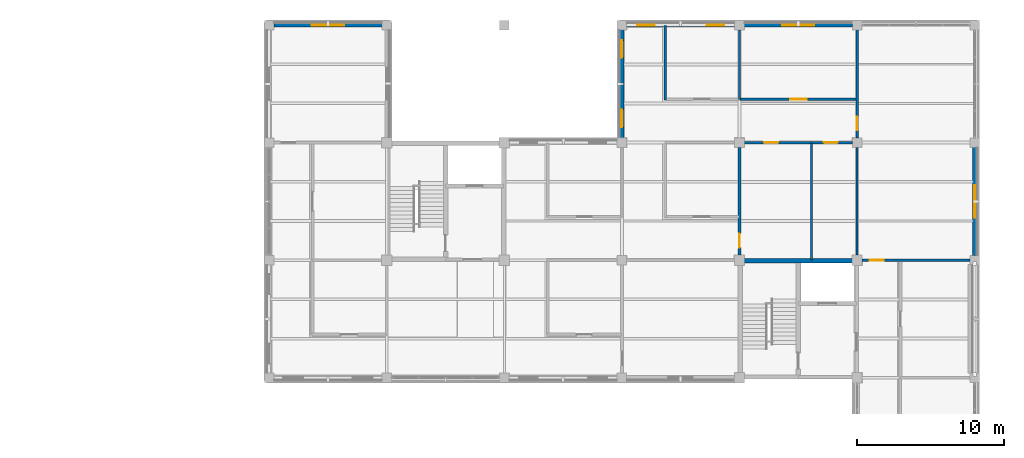
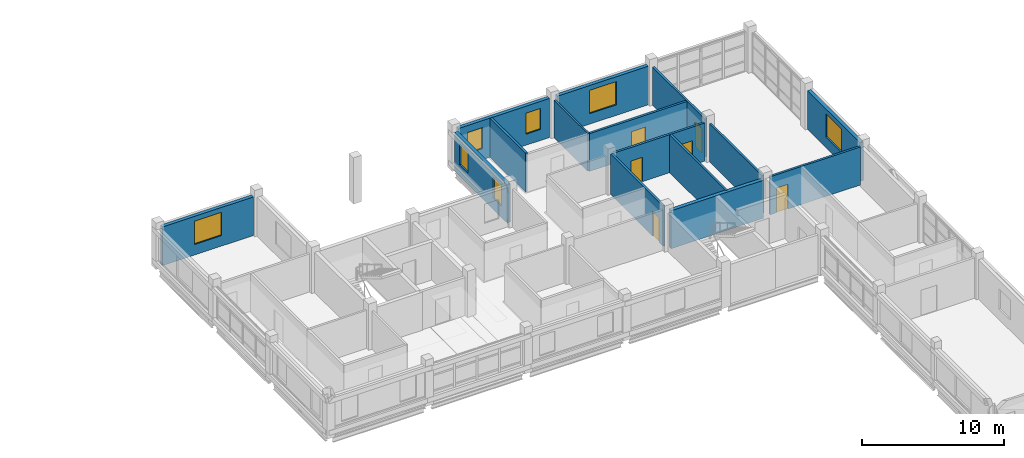
# One storey, part 75 of 92: 15 walls, 7 windows, 6 doors, 13 openings.
"""IFC4 building model written with IfcOpenShell, lengths in metres."""

from ifc_helpers import new_model, si_unit, derived_unit, direction, frame, frame_2d, origin, place, context, subcontext, project, spatial, rectangle, extrude, material, layer, layer_set, type_object, element, fill, save


model = new_model("IFC4")

# Units and contexts
model_context = context("Model", 3, precision=1e-05, world=origin(), true_north=direction((0.0, 1.0)))
body_context = subcontext(model_context, "Body", "Model", "MODEL_VIEW")
ifc_project = project(units=[si_unit("LENGTHUNIT", "METRE"), si_unit("AREAUNIT", "SQUARE_METRE"), si_unit("VOLUMEUNIT", "CUBIC_METRE"), si_unit("PLANEANGLEUNIT", "RADIAN"), si_unit("MASSUNIT", "GRAM", prefix="KILO"), derived_unit("THERMALTRANSMITTANCEUNIT", [(si_unit("MASSUNIT", "GRAM", prefix="KILO"), 1), (si_unit("TIMEUNIT", "SECOND"), -3), (si_unit("THERMODYNAMICTEMPERATUREUNIT", "KELVIN"), -1)])], contexts=[model_context])

# Site, building, storey
site_placement = place(None, origin())
site = spatial("IfcSite", under=ifc_project, at=site_placement, CompositionType="ELEMENT")
building_placement = place(site_placement, origin())
building = spatial("IfcBuilding", under=site, at=building_placement, Name="Veyamyaing Civic Hall", CompositionType="ELEMENT")
storey_placement = place(building_placement, frame((0.0, 0.0, 17.820068359375)))
storey = spatial("IfcBuildingStorey", under=building, at=storey_placement, Name="L04", CompositionType="ELEMENT", Elevation=17.820068359375)

# Wall, opening, window
ifc_material_1 = material(Name="Precast concrete C40/50", Category="concrete")
ifc_layer_1 = layer(ifc_material_1, 0.280029296875, Name="Precast concrete C40/50")
ifc_layer_set_1 = layer_set([ifc_layer_1], Name="Precast concrete C40/50")
wall_type_1 = type_object("IfcWallType", Name="WT-04", PredefinedType="SOLIDWALL", material=ifc_layer_set_1)
wall_1_placement = place(storey_placement, frame((128.31005859375, 112.0, 0.0), z_axis=(0.0, 0.0, 1.0), x_axis=(1.0, 0.0, 0.0)))
wall_1 = element("IfcWall", 1, at=wall_1_placement, inside=storey, type_object=wall_type_1, Name="Exterior facade wall WT-04 L04 N 17.14", PredefinedType="SOLIDWALL", context=body_context, shape_type="SweptSolid", body=[
    extrude(rectangle(XDim=7.3798828125, YDim=0.280029296875, at=frame_2d((3.68994140625, 0.0))), origin(), (0.0, 0.0, 1.0), 3.31396484375),
])
opening_1_placement = place(wall_1_placement, frame((2.590087890625, 0.0, 0.89990234375)))
opening_1 = element("IfcOpeningElement", 2, at=opening_1_placement, cuts=wall_1, Name="Opening W-08", PredefinedType="OPENING", context=body_context, shape_type="SweptSolid", body=[
    extrude(rectangle(XDim=2.199951171875, YDim=2.0, at=frame_2d((1.10009765625, 1.0))), frame((0.0, 0.14990234375, 0.0), z_axis=(0.0, -1.0, 0.0), x_axis=(1.0, 0.0, 0.0)), (0.0, 0.0, 1.0), 0.300048828125),
])
ifc_material_2 = material(Name="Low-E insulated glass", Category="glass")
window_type_1 = type_object("IfcWindowType", Name="W-08", PartitioningType="SINGLE_PANEL", PredefinedType="WINDOW", material=ifc_material_2)
window_1_placement = place(opening_1_placement, origin())
window_1 = element("IfcWindow", 3, at=window_1_placement, inside=storey, type_object=window_type_1, Name="Facade window W-08 L04 N 17.14", OverallHeight=2.0, OverallWidth=2.199951171875, PartitioningType="SINGLE_PANEL", PredefinedType="WINDOW", context=body_context, shape_type="SweptSolid", body=[
    extrude(rectangle(XDim=2.199951171875, YDim=2.0, at=frame_2d((1.10009765625, 1.0))), frame((0.0, 0.030029296875, 0.0), z_axis=(0.0, -1.0, 0.0), x_axis=(1.0, 0.0, 0.0)), (0.0, 0.0, 1.0), 0.06005859375),
])
fill(opening_1, window_1)

# Wall, openings, windows
wall_2_placement = place(storey_placement, frame((152.31005859375, 112.0, 0.0), z_axis=(0.0, 0.0, 1.0), x_axis=(1.0, 0.0, 0.0)))
wall_2 = element("IfcWall", 4, at=wall_2_placement, inside=storey, type_object=wall_type_1, Name="Exterior facade wall WT-04 L04 N 20.14", PredefinedType="SOLIDWALL", context=body_context, shape_type="SweptSolid", body=[
    extrude(rectangle(XDim=7.3798828125, YDim=0.280029296875, at=frame_2d((3.68994140625, 0.0))), origin(), (0.0, 0.0, 1.0), 3.348876953125),
])
opening_2_placement = place(wall_2_placement, frame((0.728515625, 0.0, 0.949951171875)))
opening_2 = element("IfcOpeningElement", 5, at=opening_2_placement, cuts=wall_2, Name="Opening W-14", PredefinedType="OPENING", context=body_context, shape_type="SweptSolid", body=[
    extrude(rectangle(XDim=1.199951171875, YDim=1.800048828125, at=frame_2d((0.60009765625, 0.89990234375))), frame((0.0, 0.14990234375, 0.0), z_axis=(0.0, -1.0, 0.0), x_axis=(1.0, 0.0, 0.0)), (0.0, 0.0, 1.0), 0.300048828125),
])
opening_3_placement = place(wall_2_placement, frame((5.45166015625, 0.0, 0.949951171875)))
opening_3 = element("IfcOpeningElement", 6, at=opening_3_placement, cuts=wall_2, Name="Opening W-14", PredefinedType="OPENING", context=body_context, shape_type="SweptSolid", body=[
    extrude(rectangle(XDim=1.199951171875, YDim=1.800048828125, at=frame_2d((0.60009765625, 0.89990234375))), frame((0.0, 0.14990234375, 0.0), z_axis=(0.0, -1.0, 0.0), x_axis=(1.0, 0.0, 0.0)), (0.0, 0.0, 1.0), 0.300048828125),
])
window_type_2 = type_object("IfcWindowType", Name="W-14", PartitioningType="SINGLE_PANEL", PredefinedType="WINDOW", material=ifc_material_2)
window_2_placement = place(opening_2_placement, origin())
window_2 = element("IfcWindow", 7, at=window_2_placement, inside=storey, type_object=window_type_2, Name="Facade window W-14 L04 N 20.14.1", OverallHeight=1.800048828125, OverallWidth=1.199951171875, PartitioningType="SINGLE_PANEL", PredefinedType="WINDOW", context=body_context, shape_type="SweptSolid", body=[
    extrude(rectangle(XDim=1.199951171875, YDim=1.800048828125, at=frame_2d((0.60009765625, 0.89990234375))), frame((0.0, 0.030029296875, 0.0), z_axis=(0.0, -1.0, 0.0), x_axis=(1.0, 0.0, 0.0)), (0.0, 0.0, 1.0), 0.06005859375),
])
fill(opening_2, window_2)
window_3_placement = place(opening_3_placement, origin())
window_3 = element("IfcWindow", 8, at=window_3_placement, inside=storey, type_object=window_type_2, Name="Facade window W-14 L04 N 20.14.2", OverallHeight=1.800048828125, OverallWidth=1.199951171875, PartitioningType="SINGLE_PANEL", PredefinedType="WINDOW", context=body_context, shape_type="SweptSolid", body=[
    extrude(rectangle(XDim=1.199951171875, YDim=1.800048828125, at=frame_2d((0.60009765625, 0.89990234375))), frame((0.0, 0.030029296875, 0.0), z_axis=(0.0, -1.0, 0.0), x_axis=(1.0, 0.0, 0.0)), (0.0, 0.0, 1.0), 0.06005859375),
])
fill(opening_3, window_3)

wall_3_placement = place(storey_placement, frame((152.0, 104.31005859375, 0.0), z_axis=(0.0, 0.0, 1.0), x_axis=(0.0, 1.0, 0.0)))
wall_3 = element("IfcWall", 9, at=wall_3_placement, inside=storey, type_object=wall_type_1, Name="Exterior facade wall WT-04 L04 W 20.14", PredefinedType="SOLIDWALL", context=body_context, shape_type="SweptSolid", body=[
    extrude(rectangle(XDim=7.3798828125, YDim=0.280029296875, at=frame_2d((3.68994140625, 0.0))), origin(), (0.0, 0.0, 1.0), 3.284912109375),
])
opening_4_placement = place(wall_3_placement, frame((0.728515625, 0.0, 0.949951171875)))
opening_4 = element("IfcOpeningElement", 10, at=opening_4_placement, cuts=wall_3, Name="Opening W-14", PredefinedType="OPENING", context=body_context, shape_type="SweptSolid", body=[
    extrude(rectangle(XDim=1.199951171875, YDim=1.800048828125, at=frame_2d((0.60009765625, 0.89990234375))), frame((0.0, 0.14990234375, 0.0), z_axis=(0.0, -1.0, 0.0), x_axis=(1.0, 0.0, 0.0)), (0.0, 0.0, 1.0), 0.300048828125),
])
opening_5_placement = place(wall_3_placement, frame((5.45166015625, 0.0, 0.949951171875)))
opening_5 = element("IfcOpeningElement", 11, at=opening_5_placement, cuts=wall_3, Name="Opening W-14", PredefinedType="OPENING", context=body_context, shape_type="SweptSolid", body=[
    extrude(rectangle(XDim=1.199951171875, YDim=1.800048828125, at=frame_2d((0.60009765625, 0.89990234375))), frame((0.0, 0.14990234375, 0.0), z_axis=(0.0, -1.0, 0.0), x_axis=(1.0, 0.0, 0.0)), (0.0, 0.0, 1.0), 0.300048828125),
])
window_4_placement = place(opening_4_placement, origin())
window_4 = element("IfcWindow", 12, at=window_4_placement, inside=storey, type_object=window_type_2, Name="Facade window W-14 L04 W 20.14.1", OverallHeight=1.800048828125, OverallWidth=1.199951171875, PartitioningType="SINGLE_PANEL", PredefinedType="WINDOW", context=body_context, shape_type="SweptSolid", body=[
    extrude(rectangle(XDim=1.199951171875, YDim=1.800048828125, at=frame_2d((0.60009765625, 0.89990234375))), frame((0.0, 0.030029296875, 0.0), z_axis=(0.0, -1.0, 0.0), x_axis=(1.0, 0.0, 0.0)), (0.0, 0.0, 1.0), 0.06005859375),
])
fill(opening_4, window_4)
window_5_placement = place(opening_5_placement, origin())
window_5 = element("IfcWindow", 13, at=window_5_placement, inside=storey, type_object=window_type_2, Name="Facade window W-14 L04 W 20.14.2", OverallHeight=1.800048828125, OverallWidth=1.199951171875, PartitioningType="SINGLE_PANEL", PredefinedType="WINDOW", context=body_context, shape_type="SweptSolid", body=[
    extrude(rectangle(XDim=1.199951171875, YDim=1.800048828125, at=frame_2d((0.60009765625, 0.89990234375))), frame((0.0, 0.030029296875, 0.0), z_axis=(0.0, -1.0, 0.0), x_axis=(1.0, 0.0, 0.0)), (0.0, 0.0, 1.0), 0.06005859375),
])
fill(opening_5, window_5)

# Wall, opening, window
wall_4_placement = place(storey_placement, frame((160.31005859375, 112.0, 0.0), z_axis=(0.0, 0.0, 1.0), x_axis=(1.0, 0.0, 0.0)))
wall_4 = element("IfcWall", 14, at=wall_4_placement, inside=storey, type_object=wall_type_1, Name="Exterior facade wall WT-04 L04 N 21.14", PredefinedType="SOLIDWALL", context=body_context, shape_type="SweptSolid", body=[
    extrude(rectangle(XDim=7.3798828125, YDim=0.280029296875, at=frame_2d((3.68994140625, 0.0))), origin(), (0.0, 0.0, 1.0), 3.31396484375),
])
opening_6_placement = place(wall_4_placement, frame((2.590087890625, 0.0, 0.89990234375)))
opening_6 = element("IfcOpeningElement", 15, at=opening_6_placement, cuts=wall_4, Name="Opening W-08", PredefinedType="OPENING", context=body_context, shape_type="SweptSolid", body=[
    extrude(rectangle(XDim=2.199951171875, YDim=2.0, at=frame_2d((1.10009765625, 1.0))), frame((0.0, 0.14990234375, 0.0), z_axis=(0.0, -1.0, 0.0), x_axis=(1.0, 0.0, 0.0)), (0.0, 0.0, 1.0), 0.300048828125),
])
window_6_placement = place(opening_6_placement, origin())
window_6 = element("IfcWindow", 16, at=window_6_placement, inside=storey, type_object=window_type_1, Name="Facade window W-08 L04 N 21.14", OverallHeight=2.0, OverallWidth=2.199951171875, PartitioningType="SINGLE_PANEL", PredefinedType="WINDOW", context=body_context, shape_type="SweptSolid", body=[
    extrude(rectangle(XDim=2.199951171875, YDim=2.0, at=frame_2d((1.10009765625, 1.0))), frame((0.0, 0.030029296875, 0.0), z_axis=(0.0, -1.0, 0.0), x_axis=(1.0, 0.0, 0.0)), (0.0, 0.0, 1.0), 0.06005859375),
])
fill(opening_6, window_6)

wall_5_placement = place(storey_placement, frame((176.0, 96.31005859375, 0.0), z_axis=(0.0, 0.0, 1.0), x_axis=(0.0, 1.0, 0.0)))
wall_5 = element("IfcWall", 17, at=wall_5_placement, inside=storey, type_object=wall_type_1, Name="Exterior facade wall WT-04 L04 E 22.13", PredefinedType="SOLIDWALL", context=body_context, shape_type="SweptSolid", body=[
    extrude(rectangle(XDim=7.3798828125, YDim=0.280029296875, at=frame_2d((3.68994140625, 0.0))), origin(), (0.0, 0.0, 1.0), 3.31396484375),
])
opening_7_placement = place(wall_5_placement, frame((2.590087890625, 0.0, 0.89990234375)))
opening_7 = element("IfcOpeningElement", 18, at=opening_7_placement, cuts=wall_5, Name="Opening W-08", PredefinedType="OPENING", context=body_context, shape_type="SweptSolid", body=[
    extrude(rectangle(XDim=2.199951171875, YDim=2.0, at=frame_2d((1.10009765625, 1.0))), frame((0.0, 0.14990234375, 0.0), z_axis=(0.0, -1.0, 0.0), x_axis=(1.0, 0.0, 0.0)), (0.0, 0.0, 1.0), 0.300048828125),
])
window_7_placement = place(opening_7_placement, origin())
window_7 = element("IfcWindow", 19, at=window_7_placement, inside=storey, type_object=window_type_1, Name="Facade window W-08 L04 E 22.13", OverallHeight=2.0, OverallWidth=2.199951171875, PartitioningType="SINGLE_PANEL", PredefinedType="WINDOW", context=body_context, shape_type="SweptSolid", body=[
    extrude(rectangle(XDim=2.199951171875, YDim=2.0, at=frame_2d((1.10009765625, 1.0))), frame((0.0, 0.030029296875, 0.0), z_axis=(0.0, -1.0, 0.0), x_axis=(1.0, 0.0, 0.0)), (0.0, 0.0, 1.0), 0.06005859375),
])
fill(opening_7, window_7)

# Wall
ifc_material_3 = material(Name="Concrete C40/50", Category="concrete")
ifc_layer_2 = layer(ifc_material_3, 0.300048828125, Name="Concrete C40/50")
ifc_layer_set_2 = layer_set([ifc_layer_2], Name="Concrete C40/50")
wall_type_2 = type_object("IfcWallType", Name="WT-05", PredefinedType="SHEAR", material=ifc_layer_set_2)
wall_6_placement = place(storey_placement, frame((160.239990234375, 95.949951171875, 0.0), z_axis=(0.0, 0.0, 1.0), x_axis=(1.0, 0.0, 0.0)))
element("IfcWall", 20, at=wall_6_placement, inside=storey, type_object=wall_type_2, Name="Core shear wall WT-05 CORE-3 L04.N", PredefinedType="SHEAR", context=body_context, shape_type="SweptSolid", body=[
    extrude(rectangle(XDim=7.52001953125, YDim=0.300048828125, at=frame_2d((3.760009765625, 0.0))), origin(), (0.0, 0.0, 1.0), 3.2568359375),
])

# Wall, opening, door
ifc_material_4 = material(Name="Gypsum board on acoustic steel stud", Category="steel")
ifc_layer_3 = layer(ifc_material_4, 0.175048828125, Name="Gypsum board on acoustic steel stud")
ifc_layer_set_3 = layer_set([ifc_layer_3], Name="Gypsum board on acoustic steel stud")
wall_type_3 = type_object("IfcWallType", Name="WT-07", PredefinedType="PARTITIONING", material=ifc_layer_set_3)
wall_7_placement = place(storey_placement, frame((168.0, 104.31494140625, 0.0), z_axis=(0.0, 0.0, 1.0), x_axis=(0.0, 1.0, 0.0)))
wall_7 = element("IfcWall", 21, at=wall_7_placement, inside=storey, type_object=wall_type_3, Name="Interior partition wall WT-07 L04.25", PredefinedType="PARTITIONING", context=body_context, shape_type="SweptSolid", body=[
    extrude(rectangle(XDim=7.3701171875, YDim=0.175048828125, at=frame_2d((3.68505859375, 0.0))), origin(), (0.0, 0.0, 1.0), 3.262939453125),
])
opening_8_placement = place(wall_7_placement, frame((0.52001953125, 0.0, 0.0)))
opening_8 = element("IfcOpeningElement", 22, at=opening_8_placement, cuts=wall_7, Name="Opening D-30", PredefinedType="OPENING", context=body_context, shape_type="SweptSolid", body=[
    extrude(rectangle(XDim=0.93994140625, YDim=2.1201171875, at=frame_2d((0.469970703125, 1.06005859375))), frame((0.0, 0.097412109375, 0.0), z_axis=(0.0, -1.0, 0.0), x_axis=(1.0, 0.0, 0.0)), (0.0, 0.0, 1.0), 0.195068359375),
])
ifc_material_5 = material(Name="Teak-veneered acoustic timber", Category="wood")
door_type_1 = type_object("IfcDoorType", Name="D-30", OperationType="NOTDEFINED", PredefinedType="DOOR", material=ifc_material_5)
door_1_placement = place(opening_8_placement, frame((0.93994140625, 0.0, 0.0), z_axis=(0.0, 0.0, 1.0), x_axis=(-1.0, 0.0, 0.0)))
door_1 = element("IfcDoor", 23, at=door_1_placement, inside=storey, type_object=door_type_1, Name="Interior door D-30 L04.25", OperationType="SINGLE_SWING_RIGHT", OverallHeight=2.1201171875, OverallWidth=0.93994140625, PredefinedType="DOOR", context=body_context, shape_type="SweptSolid", body=[
    extrude(rectangle(XDim=0.93994140625, YDim=2.1201171875, at=frame_2d((0.469970703125, 1.06005859375))), frame((0.0, 0.02490234375, 0.0), z_axis=(0.0, -1.0, 0.0), x_axis=(1.0, 0.0, 0.0)), (0.0, 0.0, 1.0), 0.050048828125),
])
fill(opening_8, door_1)

wall_8_placement = place(storey_placement, frame((168.340087890625, 96.0, 0.0), z_axis=(0.0, 0.0, 1.0), x_axis=(1.0, 0.0, 0.0)))
wall_8 = element("IfcWall", 24, at=wall_8_placement, inside=storey, type_object=wall_type_3, Name="Interior partition wall WT-07 L04.29", PredefinedType="PARTITIONING", context=body_context, shape_type="SweptSolid", body=[
    extrude(rectangle(XDim=7.344970703125, YDim=0.175048828125, at=frame_2d((3.67236328125, 0.0))), origin(), (0.0, 0.0, 1.0), 3.262939453125),
])
opening_9_placement = place(wall_8_placement, frame((0.52001953125, 0.0, 0.0)))
opening_9 = element("IfcOpeningElement", 25, at=opening_9_placement, cuts=wall_8, Name="Opening D-30", PredefinedType="OPENING", context=body_context, shape_type="SweptSolid", body=[
    extrude(rectangle(XDim=0.93994140625, YDim=2.1201171875, at=frame_2d((0.469970703125, 1.06005859375))), frame((0.0, 0.097412109375, 0.0), z_axis=(0.0, -1.0, 0.0), x_axis=(1.0, 0.0, 0.0)), (0.0, 0.0, 1.0), 0.195068359375),
])
door_2_placement = place(opening_9_placement, origin())
door_2 = element("IfcDoor", 26, at=door_2_placement, inside=storey, type_object=door_type_1, Name="Interior door D-30 L04.29", OperationType="SINGLE_SWING_LEFT", OverallHeight=2.1201171875, OverallWidth=0.93994140625, PredefinedType="DOOR", context=body_context, shape_type="SweptSolid", body=[
    extrude(rectangle(XDim=0.93994140625, YDim=2.1201171875, at=frame_2d((0.469970703125, 1.06005859375))), frame((0.0, 0.02490234375, 0.0), z_axis=(0.0, -1.0, 0.0), x_axis=(1.0, 0.0, 0.0)), (0.0, 0.0, 1.0), 0.050048828125),
])
fill(opening_9, door_2)

# Walls
ifc_material_6 = material(Name="Gypsum board on steel stud", Category="steel")
ifc_layer_4 = layer(ifc_material_6, 0.14990234375, Name="Gypsum board on steel stud")
ifc_layer_set_4 = layer_set([ifc_layer_4], Name="Gypsum board on steel stud")
wall_type_4 = type_object("IfcWallType", Name="WT-08", PredefinedType="PARTITIONING", material=ifc_layer_set_4)
wall_9_placement = place(storey_placement, frame((160.0, 106.949951171875, 0.0), z_axis=(0.0, 0.0, 1.0), x_axis=(0.0, 1.0, 0.0)))
element("IfcWall", 27, at=wall_9_placement, inside=storey, type_object=wall_type_4, Name="Gallery office end partition WT-08 L04.40.2", PredefinedType="PARTITIONING", context=body_context, shape_type="SweptSolid", body=[
    extrude(rectangle(XDim=4.715087890625, YDim=0.14990234375, at=frame_2d((2.357421875, 0.0))), origin(), (0.0, 0.0, 1.0), 3.23193359375),
])
ifc_material_7 = material(Name="Cement-board wet-area partition")
ifc_layer_5 = layer(ifc_material_7, 0.159912109375, Name="Cement-board wet-area partition")
ifc_layer_set_5 = layer_set([ifc_layer_5], Name="Cement-board wet-area partition")
wall_type_5 = type_object("IfcWallType", Name="WT-14", PredefinedType="PARTITIONING", material=ifc_layer_set_5)
wall_10_placement = place(storey_placement, frame((168.0, 96.340087890625, 0.0), z_axis=(0.0, 0.0, 1.0), x_axis=(0.0, 1.0, 0.0)))
element("IfcWall", 28, at=wall_10_placement, inside=storey, type_object=wall_type_5, Name="Interior partition wall WT-14 L04.23", PredefinedType="PARTITIONING", context=body_context, shape_type="SweptSolid", body=[
    extrude(rectangle(XDim=7.344970703125, YDim=0.159912109375, at=frame_2d((3.67236328125, 0.0))), origin(), (0.0, 0.0, 1.0), 3.2568359375),
])
wall_11_placement = place(storey_placement, frame((164.89990234375, 96.02001953125, 0.0), z_axis=(0.0, 0.0, 1.0), x_axis=(0.0, 1.0, 0.0)))
element("IfcWall", 29, at=wall_11_placement, inside=storey, type_object=wall_type_5, Name="Sub-bay room partition WT-14 L04.3", PredefinedType="PARTITIONING", context=body_context, shape_type="SweptSolid", body=[
    extrude(rectangle(XDim=7.9599609375, YDim=0.159912109375, at=frame_2d((3.97998046875, 0.0))), origin(), (0.0, 0.0, 1.0), 3.2568359375),
])
ifc_material_8 = material(Name="Gypsum board on double acoustic stud")
ifc_layer_6 = layer(ifc_material_8, 0.18505859375, Name="Gypsum board on double acoustic stud")
ifc_layer_set_6 = layer_set([ifc_layer_6], Name="Gypsum board on double acoustic stud")
wall_type_6 = type_object("IfcWallType", Name="WT-19", PredefinedType="PARTITIONING", material=ifc_layer_set_6)
wall_12_placement = place(storey_placement, frame((154.949951171875, 106.89990234375, 0.0), z_axis=(0.0, 0.0, 1.0), x_axis=(0.0, 1.0, 0.0)))
element("IfcWall", 30, at=wall_12_placement, inside=storey, type_object=wall_type_6, Name="Corridor gallery partition WT-19 L04.40.2", PredefinedType="PARTITIONING", context=body_context, shape_type="SweptSolid", body=[
    extrude(rectangle(XDim=5.080078125, YDim=0.18505859375, at=frame_2d((2.5400390625, 0.0))), origin(), (0.0, 0.0, 1.0), 3.342041015625),
])

# Wall, opening, door
wall_13_placement = place(storey_placement, frame((160.02001953125, 106.949951171875, 0.0), z_axis=(0.0, 0.0, 1.0), x_axis=(1.0, 0.0, 0.0)))
wall_13 = element("IfcWall", 31, at=wall_13_placement, inside=storey, type_object=wall_type_6, Name="Corridor gallery partition WT-19 L04.42.1", PredefinedType="PARTITIONING", context=body_context, shape_type="SweptSolid", body=[
    extrude(rectangle(XDim=7.9599609375, YDim=0.18505859375, at=frame_2d((3.97998046875, 0.0))), origin(), (0.0, 0.0, 1.0), 3.23193359375),
])
opening_10_placement = place(wall_13_placement, frame((3.419921875, 0.0, 0.0)))
opening_10 = element("IfcOpeningElement", 32, at=opening_10_placement, cuts=wall_13, Name="Opening D-26", PredefinedType="OPENING", context=body_context, shape_type="SweptSolid", body=[
    extrude(rectangle(XDim=1.1201171875, YDim=2.219970703125, at=frame_2d((0.56005859375, 1.10986328125))), frame((0.0, 0.1025390625, 0.0), z_axis=(0.0, -1.0, 0.0), x_axis=(1.0, 0.0, 0.0)), (0.0, 0.0, 1.0), 0.205078125),
])
door_type_2 = type_object("IfcDoorType", Name="D-26", OperationType="NOTDEFINED", PredefinedType="DOOR", material=ifc_material_5)
door_3_placement = place(opening_10_placement, origin())
door_3 = element("IfcDoor", 33, at=door_3_placement, inside=storey, type_object=door_type_2, Name="Gallery office door D-26 L04.42", OperationType="SINGLE_SWING_LEFT", OverallHeight=2.219970703125, OverallWidth=1.1201171875, PredefinedType="DOOR", context=body_context, shape_type="SweptSolid", body=[
    extrude(rectangle(XDim=1.1201171875, YDim=2.219970703125, at=frame_2d((0.56005859375, 1.10986328125))), frame((0.0, 0.02490234375, 0.0), z_axis=(0.0, -1.0, 0.0), x_axis=(1.0, 0.0, 0.0)), (0.0, 0.0, 1.0), 0.050048828125),
])
fill(opening_10, door_3)

wall_14_placement = place(storey_placement, frame((160.0, 96.340087890625, 0.0), z_axis=(0.0, 0.0, 1.0), x_axis=(0.0, 1.0, 0.0)))
wall_14 = element("IfcWall", 34, at=wall_14_placement, inside=storey, type_object=wall_type_6, Name="Interior partition wall WT-19 L04.22", PredefinedType="PARTITIONING", context=body_context, shape_type="SweptSolid", body=[
    extrude(rectangle(XDim=7.344970703125, YDim=0.18505859375, at=frame_2d((3.67236328125, 0.0))), origin(), (0.0, 0.0, 1.0), 3.4619140625),
])
opening_11_placement = place(wall_14_placement, frame((0.52001953125, 0.0, 0.0)))
opening_11 = element("IfcOpeningElement", 35, at=opening_11_placement, cuts=wall_14, Name="Opening D-30", PredefinedType="OPENING", context=body_context, shape_type="SweptSolid", body=[
    extrude(rectangle(XDim=0.93994140625, YDim=2.1201171875, at=frame_2d((0.469970703125, 1.06005859375))), frame((0.0, 0.1025390625, 0.0), z_axis=(0.0, -1.0, 0.0), x_axis=(1.0, 0.0, 0.0)), (0.0, 0.0, 1.0), 0.205078125),
])
door_4_placement = place(opening_11_placement, frame((0.93994140625, 0.0, 0.0), z_axis=(0.0, 0.0, 1.0), x_axis=(-1.0, 0.0, 0.0)))
door_4 = element("IfcDoor", 36, at=door_4_placement, inside=storey, type_object=door_type_1, Name="Interior door D-30 L04.22", OperationType="SINGLE_SWING_LEFT", OverallHeight=2.1201171875, OverallWidth=0.93994140625, PredefinedType="DOOR", context=body_context, shape_type="SweptSolid", body=[
    extrude(rectangle(XDim=0.93994140625, YDim=2.1201171875, at=frame_2d((0.469970703125, 1.06005859375))), frame((0.0, 0.02490234375, 0.0), z_axis=(0.0, -1.0, 0.0), x_axis=(1.0, 0.0, 0.0)), (0.0, 0.0, 1.0), 0.050048828125),
])
fill(opening_11, door_4)

# Wall, openings, doors
wall_15_placement = place(storey_placement, frame((160.31494140625, 104.0, 0.0), z_axis=(0.0, 0.0, 1.0), x_axis=(1.0, 0.0, 0.0)))
wall_15 = element("IfcWall", 37, at=wall_15_placement, inside=storey, type_object=wall_type_6, Name="Interior partition wall WT-19 L04.24", PredefinedType="PARTITIONING", context=body_context, shape_type="SweptSolid", body=[
    extrude(rectangle(XDim=7.3701171875, YDim=0.18505859375, at=frame_2d((3.68505859375, 0.0))), origin(), (0.0, 0.0, 1.0), 3.262939453125),
])
opening_12_placement = place(wall_15_placement, frame((1.367431640625, 0.0, 0.0)))
opening_12 = element("IfcOpeningElement", 38, at=opening_12_placement, cuts=wall_15, Name="Opening D-15", PredefinedType="OPENING", context=body_context, shape_type="SweptSolid", body=[
    extrude(rectangle(XDim=0.949951171875, YDim=2.10009765625, at=frame_2d((0.47509765625, 1.050048828125))), frame((0.0, 0.1025390625, 0.0), z_axis=(0.0, -1.0, 0.0), x_axis=(1.0, 0.0, 0.0)), (0.0, 0.0, 1.0), 0.205078125),
])
opening_13_placement = place(wall_15_placement, frame((5.4208984375, 0.0, 0.0)))
opening_13 = element("IfcOpeningElement", 39, at=opening_13_placement, cuts=wall_15, Name="Opening D-15", PredefinedType="OPENING", context=body_context, shape_type="SweptSolid", body=[
    extrude(rectangle(XDim=0.949951171875, YDim=2.10009765625, at=frame_2d((0.47509765625, 1.050048828125))), frame((0.0, 0.1025390625, 0.0), z_axis=(0.0, -1.0, 0.0), x_axis=(1.0, 0.0, 0.0)), (0.0, 0.0, 1.0), 0.205078125),
])
door_type_3 = type_object("IfcDoorType", Name="D-15", OperationType="NOTDEFINED", PredefinedType="DOOR", material=ifc_material_5)
door_5_placement = place(opening_12_placement, frame((0.949951171875, 0.0, 0.0), z_axis=(0.0, 0.0, 1.0), x_axis=(-1.0, 0.0, 0.0)))
door_5 = element("IfcDoor", 40, at=door_5_placement, inside=storey, type_object=door_type_3, Name="Interior room door D-15 L04.24.1", OperationType="SINGLE_SWING_RIGHT", OverallHeight=2.10009765625, OverallWidth=0.949951171875, PredefinedType="DOOR", context=body_context, shape_type="SweptSolid", body=[
    extrude(rectangle(XDim=0.949951171875, YDim=2.10009765625, at=frame_2d((0.47509765625, 1.050048828125))), frame((0.0, 0.02490234375, 0.0), z_axis=(0.0, -1.0, 0.0), x_axis=(1.0, 0.0, 0.0)), (0.0, 0.0, 1.0), 0.050048828125),
])
fill(opening_12, door_5)
door_6_placement = place(opening_13_placement, frame((0.949951171875, 0.0, 0.0), z_axis=(0.0, 0.0, 1.0), x_axis=(-1.0, 0.0, 0.0)))
door_6 = element("IfcDoor", 41, at=door_6_placement, inside=storey, type_object=door_type_3, Name="Interior room door D-15 L04.24.2", OperationType="SINGLE_SWING_LEFT", OverallHeight=2.10009765625, OverallWidth=0.949951171875, PredefinedType="DOOR", context=body_context, shape_type="SweptSolid", body=[
    extrude(rectangle(XDim=0.949951171875, YDim=2.10009765625, at=frame_2d((0.47509765625, 1.050048828125))), frame((0.0, 0.02490234375, 0.0), z_axis=(0.0, -1.0, 0.0), x_axis=(1.0, 0.0, 0.0)), (0.0, 0.0, 1.0), 0.050048828125),
])
fill(opening_13, door_6)

save(model, "model.ifc")
